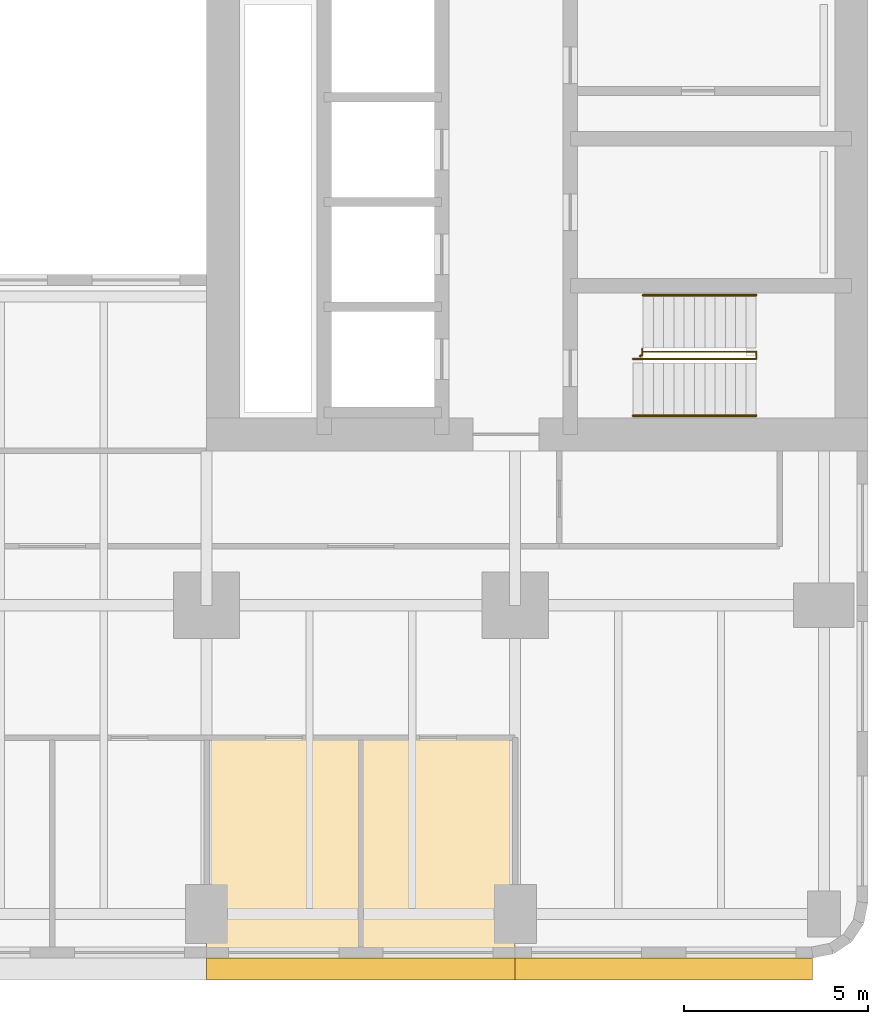
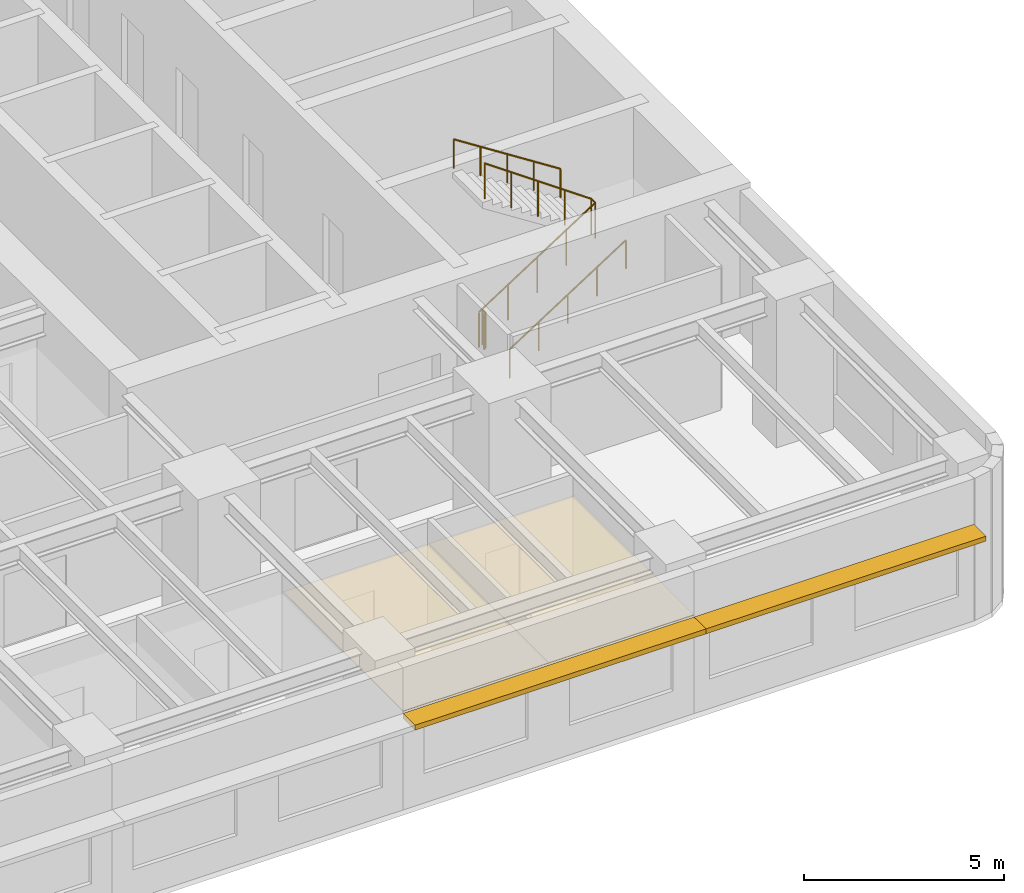
# One storey, part 10 of 12: 4 railings, 2 coverings, 2 shading devices.
"""IFC4 building model written with IfcOpenShell, lengths in metres."""

from ifc_helpers import new_model, si_unit, direction, frame, origin, origin_2d, place, context, subcontext, project, spatial, polyline, rectangle, circle, outline, extrude, material, layer, layer_set, type_object, element, save


model = new_model("IFC4")

# Units and contexts
model_context = context("Model", 3, precision=1e-05, world=origin(), true_north=direction((0.0, 1.0)))
body_context = subcontext(model_context, "Body", "Model", "MODEL_VIEW")
ifc_project = project(units=[si_unit("LENGTHUNIT", "METRE"), si_unit("AREAUNIT", "SQUARE_METRE"), si_unit("VOLUMEUNIT", "CUBIC_METRE"), si_unit("PLANEANGLEUNIT", "RADIAN"), si_unit("MASSUNIT", "GRAM", prefix="KILO")], contexts=[model_context])

# Site, building, storey
site_placement = place(None, origin())
site = spatial("IfcSite", under=ifc_project, at=site_placement, CompositionType="ELEMENT")
building_placement = place(site_placement, origin())
building = spatial("IfcBuilding", under=site, at=building_placement, Name="Claustro Exchange Tower", CompositionType="ELEMENT")
storey_placement = place(building_placement, frame((0.0, 0.0, 63.89990234375)))
storey = spatial("IfcBuildingStorey", under=building, at=storey_placement, Name="L14", CompositionType="ELEMENT", Elevation=63.89990234375)

# Coverings
ifc_material_1 = material(Name="Gypsum board ceiling", Category="gypsum board")
ifc_layer_1 = layer(ifc_material_1, 0.02490234375)
ifc_layer_set_1 = layer_set([ifc_layer_1], Name="Gypsum board ceiling")
covering_type = type_object("IfcCoveringType", Name="CL2 plasterboard ceiling", PredefinedType="CEILING", material=ifc_layer_set_1)
covering_1_placement = place(storey_placement, frame((0.0, 0.0, 3.0)))
element("IfcCovering", 1, at=covering_1_placement, inside=storey, type_object=covering_type, Name="Ceiling CL2 L14-07", PredefinedType="CEILING", context=body_context, shape_type="SweptSolid", body=[
    extrude(outline(polyline([(33.60009765625, -1.199951171875), (37.800048828125, -1.199951171875), (37.800048828125, 4.800048828125), (33.60009765625, 4.800048828125), (33.60009765625, -1.199951171875)])), origin(), (0.0, 0.0, 1.0), 0.025146484375),
])
covering_2_placement = place(storey_placement, frame((0.0, 0.0, 3.0)))
element("IfcCovering", 2, at=covering_2_placement, inside=storey, type_object=covering_type, Name="Ceiling CL2 L14-08", PredefinedType="CEILING", context=body_context, shape_type="SweptSolid", body=[
    extrude(outline(polyline([(37.800048828125, -1.199951171875), (42.0, -1.199951171875), (42.0, 4.800048828125), (37.800048828125, 4.800048828125), (37.800048828125, -1.199951171875)])), origin(), (0.0, 0.0, 1.0), 0.025146484375),
])

# Railings
ifc_material_2 = material(Name="Steel balustrade, painted", Category="steel")
railing_type_1 = type_object("IfcRailingType", Name="GR2 1100 steel stair guard", PredefinedType="GUARDRAIL", material=ifc_material_2)
railing_1_placement = place(storey_placement, frame((45.199951171875, 15.10009765625, 0.18017578125)))
element("IfcRailing", 3, at=railing_1_placement, inside=storey, type_object=railing_type_1, Name="Stair well guard GR2 stair STEA L14", PredefinedType="GUARDRAIL", context=body_context, shape_type="SweptSolid", body=[
    extrude(circle(Radius=0.02392578125, at=origin_2d()), frame((0.0, 0.0, 1.076171875), z_axis=(0.84119634759, 0.0, 0.540729789082), x_axis=(0.0, 1.0, 0.0)), (0.0, 0.0, 1.0), 3.994384765625),
    extrude(circle(Radius=0.02392578125, at=origin_2d()), frame((3.360107421875, 0.0, 3.23583984375), z_axis=(0.0, 1.0, 0.0), x_axis=(-1.0, 0.0, 0.0)), (0.0, 0.0, 1.0), 0.199951171875),
    extrude(circle(Radius=0.02392578125, at=origin_2d()), frame((3.360107421875, 0.199951171875, 3.23583984375), z_axis=(-0.8187499073, 0.0, 0.574150319426), x_axis=(0.0, -1.0, 0.0)), (0.0, 0.0, 1.0), 3.761962890625),
    extrude(circle(Radius=0.02099609375, at=origin_2d()), origin(), (0.0, 0.0, 1.0), 1.052001953125),
    extrude(circle(Radius=0.02099609375, at=origin_2d()), frame((0.840087890625, 0.0, 0.5400390625)), (0.0, 0.0, 1.0), 1.052001953125),
    extrude(circle(Radius=0.02099609375, at=origin_2d()), frame((1.68017578125, 0.0, 1.080078125)), (0.0, 0.0, 1.0), 1.052001953125),
    extrude(circle(Radius=0.02099609375, at=origin_2d()), frame((2.52001953125, 0.0, 1.619873046875)), (0.0, 0.0, 1.0), 1.052001953125),
    extrude(circle(Radius=0.02099609375, at=origin_2d()), frame((3.360107421875, 0.0, 2.159912109375)), (0.0, 0.0, 1.0), 1.052001953125),
    extrude(circle(Radius=0.02099609375, at=origin_2d()), frame((3.360107421875, 0.199951171875, 2.159912109375)), (0.0, 0.0, 1.0), 1.052001953125),
    extrude(circle(Radius=0.02099609375, at=origin_2d()), frame((2.590087890625, 0.199951171875, 2.699951171875)), (0.0, 0.0, 1.0), 1.052001953125),
    extrude(circle(Radius=0.02099609375, at=origin_2d()), frame((1.820068359375, 0.199951171875, 3.23974609375)), (0.0, 0.0, 1.0), 1.052001953125),
    extrude(circle(Radius=0.02099609375, at=origin_2d()), frame((1.050048828125, 0.199951171875, 3.77978515625)), (0.0, 0.0, 1.0), 1.052001953125),
    extrude(circle(Radius=0.02099609375, at=origin_2d()), frame((0.280029296875, 0.199951171875, 4.31982421875)), (0.0, 0.0, 1.0), 1.052001953125),
])
railing_2_placement = place(storey_placement, frame((45.39990234375, 15.169921875, 0.0)))
element("IfcRailing", 4, at=railing_2_placement, inside=storey, type_object=railing_type_1, Name="Stair guard GR2 STEA L14", PredefinedType="GUARDRAIL", context=body_context, shape_type="SweptSolid", body=[
    extrude(circle(Radius=0.02392578125, at=origin_2d()), frame((0.0, 0.0, 1.076171875), z_axis=(0.0, 1.0, 0.0), x_axis=(-1.0, 0.0, 0.0)), (0.0, 0.0, 1.0), 0.030029296875),
    extrude(circle(Radius=0.02392578125, at=origin_2d()), frame((0.0, 0.030029296875, 1.076171875), z_axis=(1.0, 0.0, 0.0), x_axis=(0.0, 1.0, 0.0)), (0.0, 0.0, 1.0), 0.05517578125),
    extrude(circle(Radius=0.02392578125, at=origin_2d()), frame((0.05517578125, 0.030029296875, 1.076171875), z_axis=(0.0, 1.0, 0.0), x_axis=(-1.0, 0.0, 0.0)), (0.0, 0.0, 1.0), 0.179931640625),
    extrude(circle(Radius=0.02099609375, at=origin_2d()), origin(), (0.0, 0.0, 1.0), 1.052001953125),
    extrude(circle(Radius=0.02099609375, at=origin_2d()), frame((0.0, 0.030029296875, 0.0)), (0.0, 0.0, 1.0), 1.052001953125),
    extrude(circle(Radius=0.02099609375, at=origin_2d()), frame((0.05517578125, 0.030029296875, 0.0)), (0.0, 0.0, 1.0), 1.052001953125),
    extrude(circle(Radius=0.02099609375, at=origin_2d()), frame((0.05517578125, 0.2099609375, 0.0)), (0.0, 0.0, 1.0), 1.052001953125),
])
ifc_material_3 = material(Name="Stainless steel tube", Category="steel")
railing_type_2 = type_object("IfcRailingType", Name="HR1 900 stair handrail", PredefinedType="HANDRAIL", material=ifc_material_3)
railing_3_placement = place(storey_placement, frame((45.199951171875, 13.56005859375, 0.18017578125)))
element("IfcRailing", 5, at=railing_3_placement, inside=storey, type_object=railing_type_2, Name="Handrail HR1 stair STEA L14", PredefinedType="HANDRAIL", context=body_context, shape_type="SweptSolid", body=[
    extrude(circle(Radius=0.02392578125, at=origin_2d()), frame((0.0, 0.0, 0.8759765625), z_axis=(0.84119634759, 0.0, 0.540729789082), x_axis=(0.0, 1.0, 0.0)), (0.0, 0.0, 1.0), 3.994384765625),
    extrude(circle(Radius=0.02099609375, at=origin_2d()), origin(), (0.0, 0.0, 1.0), 0.851806640625),
    extrude(circle(Radius=0.02099609375, at=origin_2d()), frame((0.840087890625, 0.0, 0.5400390625)), (0.0, 0.0, 1.0), 0.851806640625),
    extrude(circle(Radius=0.02099609375, at=origin_2d()), frame((1.68017578125, 0.0, 1.080078125)), (0.0, 0.0, 1.0), 0.851806640625),
    extrude(circle(Radius=0.02099609375, at=origin_2d()), frame((2.52001953125, 0.0, 1.619873046875)), (0.0, 0.0, 1.0), 0.851806640625),
    extrude(circle(Radius=0.02099609375, at=origin_2d()), frame((3.360107421875, 0.0, 2.159912109375)), (0.0, 0.0, 1.0), 0.851806640625),
])
railing_4_placement = place(storey_placement, frame((48.56005859375, 16.840087890625, 2.52001953125)))
element("IfcRailing", 6, at=railing_4_placement, inside=storey, type_object=railing_type_2, Name="Handrail HR1 stair STEA L14", PredefinedType="HANDRAIL", context=body_context, shape_type="SweptSolid", body=[
    extrude(circle(Radius=0.02392578125, at=origin_2d()), frame((0.0, 0.0, 0.8759765625), z_axis=(-0.84118714077, 0.0, 0.540744111576), x_axis=(0.0, -1.0, 0.0)), (0.0, 0.0, 1.0), 3.66162109375),
    extrude(circle(Radius=0.02099609375, at=origin_2d()), origin(), (0.0, 0.0, 1.0), 0.851806640625),
    extrude(circle(Radius=0.02099609375, at=origin_2d()), frame((-0.77001953125, 0.0, 0.4951171875)), (0.0, 0.0, 1.0), 0.851806640625),
    extrude(circle(Radius=0.02099609375, at=origin_2d()), frame((-1.5400390625, 0.0, 0.989990234375)), (0.0, 0.0, 1.0), 0.851806640625),
    extrude(circle(Radius=0.02099609375, at=origin_2d()), frame((-2.31005859375, 0.0, 1.48486328125)), (0.0, 0.0, 1.0), 0.851806640625),
    extrude(circle(Radius=0.02099609375, at=origin_2d()), frame((-3.080078125, 0.0, 1.97998046875)), (0.0, 0.0, 1.0), 0.851806640625),
])

# Shading devices
ifc_material_4 = material(Name="Concrete HA-40 (C40/50), precast, white cement, acid-etched", Category="concrete")
ifc_layer_2 = layer(ifc_material_4, 0.14990234375)
ifc_layer_set_2 = layer_set([ifc_layer_2], Name="Concrete HA-40 (C40/50), precast, white cement, acid-etched")
shading_device_type = type_object("IfcShadingDeviceType", Name="SS1 600 precast concrete SUNSHADE", PredefinedType="SHUTTER", material=ifc_layer_set_2)
shading_device_1_placement = place(storey_placement, frame((46.04248046875, -1.5, 2.800048828125), z_axis=(0.0, 0.0, 1.0), x_axis=(-1.0, 0.0, 0.0)))
element("IfcShadingDevice", 7, at=shading_device_1_placement, inside=storey, type_object=shading_device_type, Name="Precast SUNSHADE SS1 L14", PredefinedType="SHUTTER", context=body_context, shape_type="SweptSolid", body=[
    extrude(rectangle(XDim=8.085205078125, YDim=0.60009765625, at=origin_2d()), origin(), (0.0, 0.0, 1.0), 0.14990234375),
])
shading_device_2_placement = place(storey_placement, frame((37.800048828125, -1.5, 2.800048828125), z_axis=(0.0, 0.0, 1.0), x_axis=(-1.0, 0.0, 0.0)))
element("IfcShadingDevice", 8, at=shading_device_2_placement, inside=storey, type_object=shading_device_type, Name="Precast SUNSHADE SS1 L14", PredefinedType="SHUTTER", context=body_context, shape_type="SweptSolid", body=[
    extrude(rectangle(XDim=8.39990234375, YDim=0.60009765625, at=origin_2d()), origin(), (0.0, 0.0, 1.0), 0.14990234375),
])

save(model, "model.ifc")
